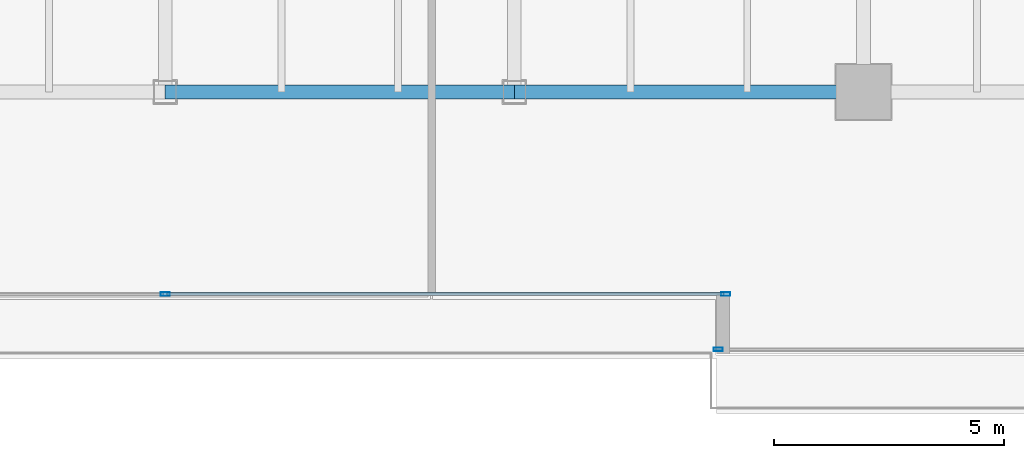
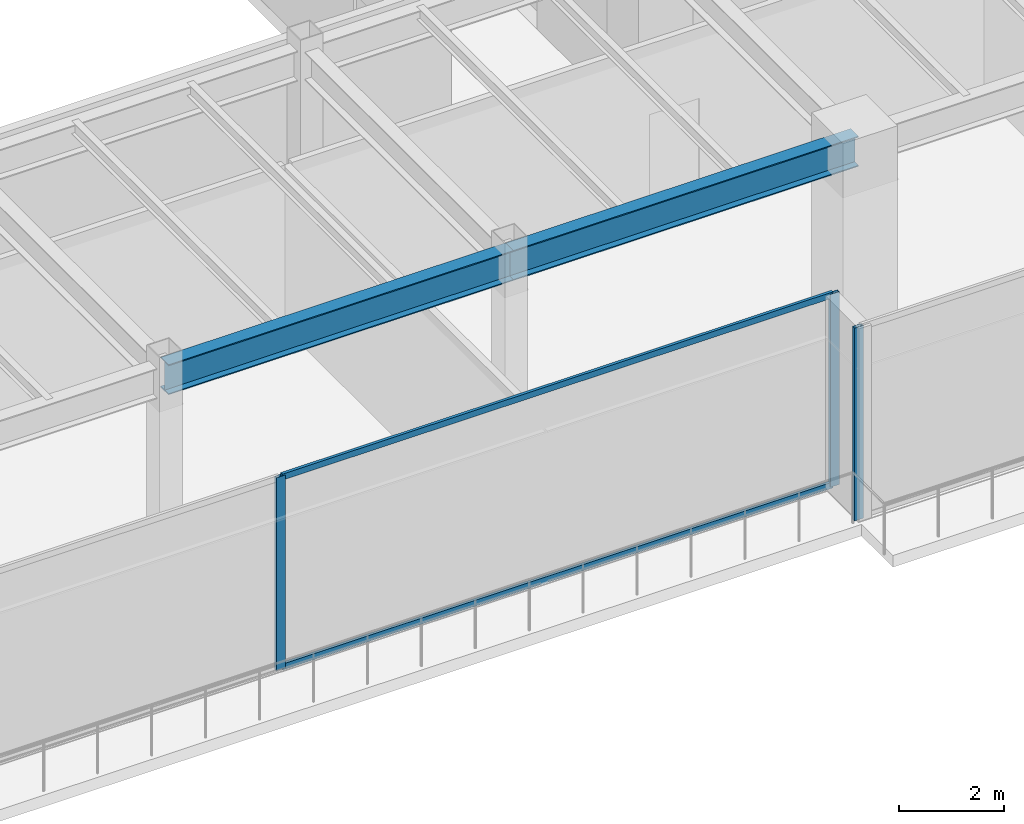
# One storey, part 10 of 33: 5 members, 2 beams, 2 elements without a shape of their own.
"""IFC4 building model written with IfcOpenShell, lengths in metres."""

from ifc_helpers import new_model, si_unit, direction, frame, origin, origin_2d, place, context, subcontext, project, spatial, hollow_rectangle, i_section, extrude, source, transform, mapped, material, layer, layer_set, material_profile, profile_set, type_object, type_shapes, element, aggregate, save


model = new_model("IFC4")

# Units and contexts
model_context = context("Model", 3, precision=1e-05, world=origin(), true_north=direction((0.0, 1.0)))
body_context = subcontext(model_context, "Body", "Model", "MODEL_VIEW")
ifc_project = project(units=[si_unit("LENGTHUNIT", "METRE"), si_unit("AREAUNIT", "SQUARE_METRE"), si_unit("VOLUMEUNIT", "CUBIC_METRE"), si_unit("PLANEANGLEUNIT", "RADIAN"), si_unit("MASSUNIT", "GRAM", prefix="KILO")], contexts=[model_context])

# Site, building, storey
site_placement = place(None, origin())
site = spatial("IfcSite", under=ifc_project, at=site_placement, CompositionType="ELEMENT")
building_placement = place(site_placement, origin())
building = spatial("IfcBuilding", under=site, at=building_placement, Name="Haelvirn Gate Laboratories", CompositionType="ELEMENT")
storey_placement = place(building_placement, frame((0.0, 0.0, 100.300048828125)))
storey = spatial("IfcBuildingStorey", under=building, at=storey_placement, Name="L24", CompositionType="ELEMENT", Elevation=100.300048828125)

# Beams
ifc_material_1 = material(Name="Steel SM355", Category="steel")
ifc_material_profile_1 = material_profile(ifc_material_1, i_section(OverallWidth=0.300048828125, OverallDepth=0.699951171875, WebThickness=0.012939453125, FlangeThickness=0.02392578125, at=origin_2d()), Name="H-700x300x13x24")
ifc_profile_set_1 = profile_set([ifc_material_profile_1], Name="Steel SM355")
beam_type = type_object("IfcBeamType", Name="BM-G-700", PredefinedType="BEAM", material=ifc_profile_set_1)
shared_shape_1 = source(origin(), body_context, "Body", "SweptSolid", [
    extrude(i_section(OverallWidth=0.300048828125, OverallDepth=0.699951171875, WebThickness=0.012939453125, FlangeThickness=0.02392578125, at=origin_2d()), origin(), (0.0, 0.0, 1.0), 7.60009765625),
])
type_shapes(beam_type, [shared_shape_1])
for number, where, z_axis, x_axis, name in (
    (1, (37.39990234375, 7.0, 4.139892578125), (1.0, 0.0, 0.0), (0.0, 1.0, 0.0), "L24 Primary Girder Y7.0 (37.4-45.0)"),
    (2, (45.0, 7.0, 4.139892578125), (1.0, 0.0, 0.0), (0.0, 1.0, 0.0), "L24 Primary Girder Y7.0 (45.0-52.6)"),
):
    element("IfcBeam", number, at=place(storey_placement, frame(where, z_axis=z_axis, x_axis=x_axis)), inside=storey, type_object=beam_type, Name=name, PredefinedType="BEAM", context=body_context, shape_type="MappedRepresentation", body=[
        mapped(shared_shape_1, transform((0.0, 0.0, 0.0), scale=1.0)),
    ])

# Curtain wall, members
ifc_material_2 = material(Name="Anodised bronze unitised aluminium & triple low-E glass", Category="aluminium")
ifc_layer = layer(ifc_material_2, 0.179931640625, Name="CW-SYS-3")
ifc_layer_set = layer_set([ifc_layer], Name="Anodised bronze unitised aluminium & triple low-E glass")
curtain_wall_type = type_object("IfcCurtainWallType", Name="CW-SYS-3", PredefinedType="NOTDEFINED", material=ifc_layer_set)
curtain_wall_1_placement = place(storey_placement, origin())
curtain_wall_1 = element("IfcCurtainWall", 3, at=curtain_wall_1_placement, inside=storey, type_object=curtain_wall_type, Name="L24 Unitised Curtain Wall CW-L24-P0-E02-1", PredefinedType="NOTDEFINED")
ifc_material_3 = material(Name="Extruded aluminium 6063-T6 (anodised bronze)", Category="aluminium")
ifc_material_profile_2 = material_profile(ifc_material_3, hollow_rectangle(XDim=0.074951171875, YDim=0.199951171875, WallThickness=0.0048828125, at=origin_2d()), Name="CWM-200x75x5")
ifc_profile_set_2 = profile_set([ifc_material_profile_2], Name="Extruded aluminium 6063-T6 (anodised bronze)")
member_type_1 = type_object("IfcMemberType", Name="CWM-T200", PredefinedType="MULLION", material=ifc_profile_set_2)
shared_shape_2 = source(origin(), body_context, "Body", "SweptSolid", [
    extrude(hollow_rectangle(XDim=0.074951171875, YDim=0.199951171875, WallThickness=0.0048828125, at=origin_2d()), origin(), (0.0, 0.0, 1.0), 4.489990234375),
])
type_shapes(member_type_1, [shared_shape_2])
member_1_placement = place(storey_placement, frame((37.39990234375, 2.60009765625, 0.0), z_axis=(0.0, 0.0, 1.0), x_axis=(0.0, 1.0, 0.0)))
member_1 = element("IfcMember", 4, at=member_1_placement, type_object=member_type_1, Name="CW3 mullion 2", PredefinedType="MULLION", context=body_context, shape_type="MappedRepresentation", body=[
    mapped(shared_shape_2, transform((0.0, 0.0, 0.0), scale=1.0)),
])
member_2_placement = place(storey_placement, frame((49.6025390625, 2.60009765625, 0.0), z_axis=(0.0, 0.0, 1.0), x_axis=(0.0, 1.0, 0.0)))
member_2 = element("IfcMember", 5, at=member_2_placement, type_object=member_type_1, Name="CW3 mullion 3", PredefinedType="MULLION", context=body_context, shape_type="MappedRepresentation", body=[
    mapped(shared_shape_2, transform((0.0, 0.0, 0.0), scale=1.0)),
])

# Curtain wall, member
curtain_wall_2_placement = place(storey_placement, origin())
curtain_wall_2 = element("IfcCurtainWall", 6, at=curtain_wall_2_placement, inside=storey, type_object=curtain_wall_type, Name="L24 Unitised Curtain Wall CW-L24-P0-E04-1", PredefinedType="NOTDEFINED")
member_3_placement = place(storey_placement, frame((49.4375, 1.39990234375, 0.0), z_axis=(0.0, 0.0, 1.0), x_axis=(0.0, 1.0, 0.0)))
member_3 = element("IfcMember", 7, at=member_3_placement, type_object=member_type_1, Name="CW3 mullion 1", PredefinedType="MULLION", context=body_context, shape_type="MappedRepresentation", body=[
    mapped(shared_shape_2, transform((0.0, 0.0, 0.0), scale=1.0)),
])
aggregate(curtain_wall_2, [member_3])

# Member
ifc_material_profile_3 = material_profile(ifc_material_3, hollow_rectangle(XDim=0.06494140625, YDim=0.139892578125, WallThickness=0.00390625, at=origin_2d()), Name="CWT-140x65x4")
ifc_profile_set_3 = profile_set([ifc_material_profile_3], Name="Extruded aluminium 6063-T6 (anodised bronze)")
member_type_2 = type_object("IfcMemberType", Name="CWT-T140", PredefinedType="USERDEFINED", material=ifc_profile_set_3)
shared_shape_3 = source(origin(), body_context, "Body", "SweptSolid", [
    extrude(hollow_rectangle(XDim=0.06494140625, YDim=0.139892578125, WallThickness=0.00390625, at=origin_2d()), origin(), (0.0, 0.0, 1.0), 12.12744140625),
])
type_shapes(member_type_2, [shared_shape_3])
member_4_placement = place(storey_placement, frame((37.4375, 2.60009765625, 0.032470703125), z_axis=(1.0, 0.0, 0.0), x_axis=(0.0, 1.0, 0.0)))
member_4 = element("IfcMember", 8, at=member_4_placement, type_object=member_type_2, Name="CW3 transom 2.1", ObjectType="TRANSOM", PredefinedType="USERDEFINED", context=body_context, shape_type="MappedRepresentation", body=[
    mapped(shared_shape_3, transform((0.0, 0.0, 0.0), scale=1.0)),
])

member_5_placement = place(storey_placement, frame((37.4375, 2.60009765625, 4.45751953125), z_axis=(1.0, 0.0, 0.0), x_axis=(0.0, 1.0, 0.0)))
member_5 = element("IfcMember", 9, at=member_5_placement, type_object=member_type_2, Name="CW3 transom 2.2", ObjectType="TRANSOM", PredefinedType="USERDEFINED", context=body_context, shape_type="MappedRepresentation", body=[
    mapped(shared_shape_3, transform((0.0, 0.0, 0.0), scale=1.0)),
])

aggregate(curtain_wall_1, [member_1, member_2, member_4, member_5])

save(model, "model.ifc")
